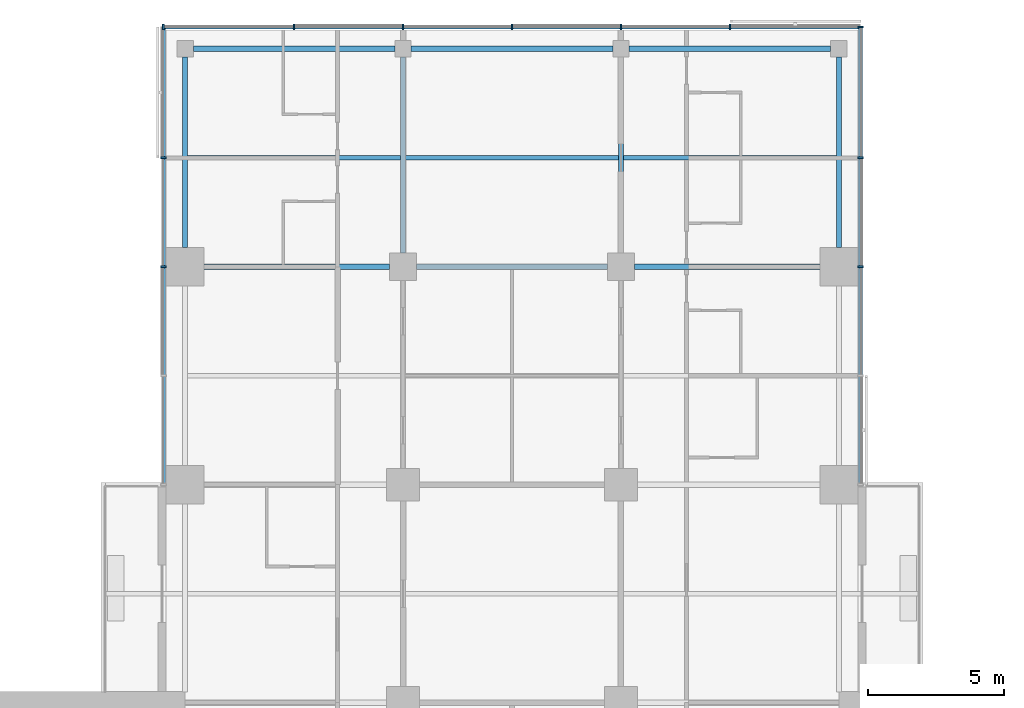
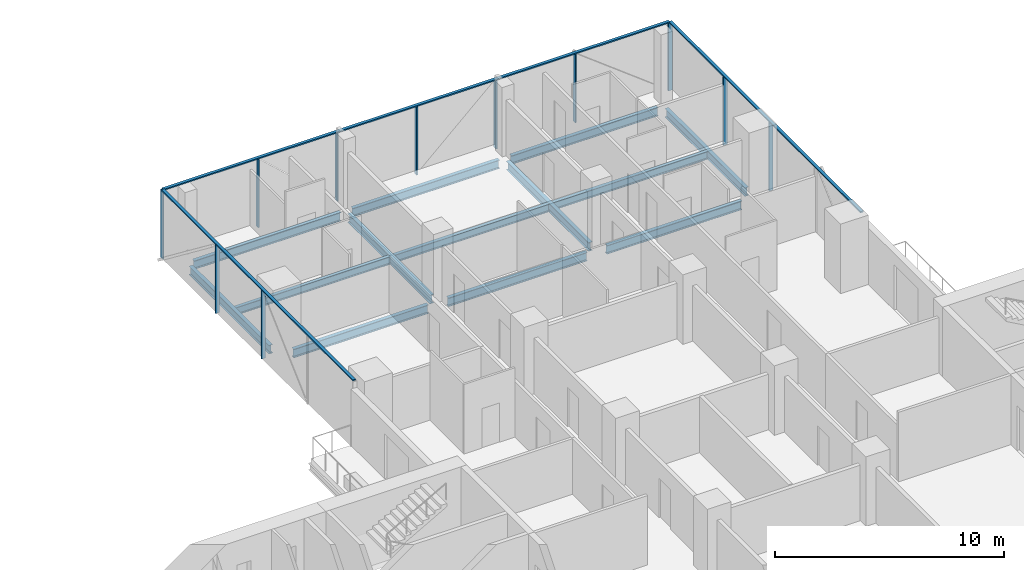
# One storey, part 12 of 27: 14 members, 13 beams, 3 elements without a shape of their own.
"""IFC4 building model written with IfcOpenShell, lengths in metres."""

from ifc_helpers import new_model, si_unit, direction, frame, origin, origin_2d, place, context, subcontext, project, spatial, rectangle, i_section, extrude, material, material_profile, profile_set, type_object, element, aggregate, save


model = new_model("IFC4")

# Units and contexts
model_context = context("Model", 3, precision=1e-05, world=origin(), true_north=direction((0.0, 1.0)))
body_context = subcontext(model_context, "Body", "Model", "MODEL_VIEW")
ifc_project = project(units=[si_unit("LENGTHUNIT", "METRE"), si_unit("AREAUNIT", "SQUARE_METRE"), si_unit("VOLUMEUNIT", "CUBIC_METRE"), si_unit("PLANEANGLEUNIT", "RADIAN"), si_unit("MASSUNIT", "GRAM", prefix="KILO")], contexts=[model_context])

# Site, building, storey
site_placement = place(None, origin())
site = spatial("IfcSite", under=ifc_project, at=site_placement, CompositionType="ELEMENT")
building_placement = place(site_placement, origin())
building = spatial("IfcBuilding", under=site, at=building_placement, Name="Crosswind Convention Tower", CompositionType="ELEMENT")
storey_placement = place(building_placement, frame((0.0, 0.0, 83.10009765625)))
storey = spatial("IfcBuildingStorey", under=building, at=storey_placement, Name="L15", CompositionType="ELEMENT", Elevation=83.10009765625)

# Beams
ifc_material_1 = material(Name="Steel S355", Category="steel")
ifc_material_profile_1 = material_profile(ifc_material_1, i_section(OverallWidth=0.1904296875, OverallDepth=0.457275390625, WebThickness=0.009033203125, FlangeThickness=0.014404296875, FilletRadius=0.01025390625, at=origin_2d()), Name="UB 457x191x75")
ifc_profile_set_1 = profile_set([ifc_material_profile_1], Name="Steel S355")
beam_type_1 = type_object("IfcBeamType", Name="Edge beam UB 457x191x75", PredefinedType="SPANDREL", material=ifc_profile_set_1)
beam_1_placement = place(storey_placement, frame((113.0, 128.699951171875, -0.5087890625), z_axis=(0.0, 1.0, 0.0), x_axis=(-1.0, 0.0, 0.0)))
element("IfcBeam", 1, at=beam_1_placement, inside=storey, type_object=beam_type_1, Name="B17 L15 edge beam 11", PredefinedType="SPANDREL", context=body_context, shape_type="SweptSolid", body=[
    extrude(i_section(OverallWidth=0.1904296875, OverallDepth=0.457275390625, WebThickness=0.009033203125, FlangeThickness=0.014404296875, FilletRadius=0.01025390625, at=origin_2d()), origin(), (0.0, 0.0, 1.0), 7.0),
])
for number, where, z_axis, x_axis, name in (
    (2, (113.300048828125, 136.0, -0.5087890625), (1.0, 0.0, 0.0), (0.0, 1.0, 0.0), "B17 L15 edge beam 13"),
    (3, (121.300048828125, 136.0, -0.5087890625), (1.0, 0.0, 0.0), (0.0, 1.0, 0.0), "B17 L15 edge beam 15"),
    (4, (129.300048828125, 136.0, -0.5087890625), (1.0, 0.0, 0.0), (0.0, 1.0, 0.0), "B17 L15 edge beam 17"),
):
    element("IfcBeam", number, at=place(storey_placement, frame(where, z_axis=z_axis, x_axis=x_axis)), inside=storey, type_object=beam_type_1, Name=name, PredefinedType="SPANDREL", context=body_context, shape_type="SweptSolid", body=[
        extrude(i_section(OverallWidth=0.1904296875, OverallDepth=0.457275390625, WebThickness=0.009033203125, FlangeThickness=0.014404296875, FilletRadius=0.01025390625, at=origin_2d()), origin(), (0.0, 0.0, 1.0), 7.39990234375),
    ])
beam_2_placement = place(storey_placement, frame((137.0, 128.699951171875, -0.5087890625), z_axis=(0.0, 1.0, 0.0), x_axis=(-1.0, 0.0, 0.0)))
element("IfcBeam", 5, at=beam_2_placement, inside=storey, type_object=beam_type_1, Name="B17 L15 edge beam 23", PredefinedType="SPANDREL", context=body_context, shape_type="SweptSolid", body=[
    extrude(i_section(OverallWidth=0.1904296875, OverallDepth=0.457275390625, WebThickness=0.009033203125, FlangeThickness=0.014404296875, FilletRadius=0.01025390625, at=origin_2d()), origin(), (0.0, 0.0, 1.0), 7.0),
])
ifc_material_profile_2 = material_profile(ifc_material_1, i_section(OverallWidth=0.19140625, OverallDepth=0.460205078125, WebThickness=0.010009765625, FlangeThickness=0.01611328125, FilletRadius=0.01025390625, at=origin_2d()), Name="UB 457x191x82")
ifc_profile_set_2 = profile_set([ifc_material_profile_2], Name="Steel S355")
beam_type_2 = type_object("IfcBeamType", Name="Girder UB 457x191x82", PredefinedType="BEAM", material=ifc_profile_set_2)
beam_3_placement = place(storey_placement, frame((113.699951171875, 128.0, -0.51025390625), z_axis=(1.0, 0.0, 0.0), x_axis=(0.0, 1.0, 0.0)))
element("IfcBeam", 6, at=beam_3_placement, inside=storey, type_object=beam_type_2, Name="B3 L15 girder 4", PredefinedType="BEAM", context=body_context, shape_type="SweptSolid", body=[
    extrude(i_section(OverallWidth=0.19140625, OverallDepth=0.460205078125, WebThickness=0.010009765625, FlangeThickness=0.01611328125, FilletRadius=0.01025390625, at=origin_2d()), origin(), (0.0, 0.0, 1.0), 6.800048828125),
])
beam_4_placement = place(storey_placement, frame((121.0, 128.5, -0.51025390625), z_axis=(0.0, 1.0, 0.0), x_axis=(-1.0, 0.0, 0.0)))
element("IfcBeam", 7, at=beam_4_placement, inside=storey, type_object=beam_type_2, Name="B3 L15 girder 13", PredefinedType="BEAM", context=body_context, shape_type="SweptSolid", body=[
    extrude(i_section(OverallWidth=0.19140625, OverallDepth=0.460205078125, WebThickness=0.010009765625, FlangeThickness=0.01611328125, FilletRadius=0.01025390625, at=origin_2d()), origin(), (0.0, 0.0, 1.0), 7.199951171875),
])
beam_5_placement = place(storey_placement, frame((121.5, 128.0, -0.51025390625), z_axis=(1.0, 0.0, 0.0), x_axis=(0.0, 1.0, 0.0)))
element("IfcBeam", 8, at=beam_5_placement, inside=storey, type_object=beam_type_2, Name="B3 L15 girder 15", PredefinedType="BEAM", context=body_context, shape_type="SweptSolid", body=[
    extrude(i_section(OverallWidth=0.19140625, OverallDepth=0.460205078125, WebThickness=0.010009765625, FlangeThickness=0.01611328125, FilletRadius=0.01025390625, at=origin_2d()), origin(), (0.0, 0.0, 1.0), 7.0),
])
beam_6_placement = place(storey_placement, frame((129.0, 128.5, -0.51025390625), z_axis=(0.0, 1.0, 0.0), x_axis=(-1.0, 0.0, 0.0)))
element("IfcBeam", 9, at=beam_6_placement, inside=storey, type_object=beam_type_2, Name="B3 L15 girder 30", PredefinedType="BEAM", context=body_context, shape_type="SweptSolid", body=[
    extrude(i_section(OverallWidth=0.19140625, OverallDepth=0.460205078125, WebThickness=0.010009765625, FlangeThickness=0.01611328125, FilletRadius=0.01025390625, at=origin_2d()), origin(), (0.0, 0.0, 1.0), 7.199951171875),
])
beam_7_placement = place(storey_placement, frame((129.5, 128.0, -0.51025390625), z_axis=(1.0, 0.0, 0.0), x_axis=(0.0, 1.0, 0.0)))
element("IfcBeam", 10, at=beam_7_placement, inside=storey, type_object=beam_type_2, Name="B3 L15 girder 32", PredefinedType="BEAM", context=body_context, shape_type="SweptSolid", body=[
    extrude(i_section(OverallWidth=0.19140625, OverallDepth=0.460205078125, WebThickness=0.010009765625, FlangeThickness=0.01611328125, FilletRadius=0.01025390625, at=origin_2d()), origin(), (0.0, 0.0, 1.0), 6.800048828125),
])

# Curtain wall, members
ifc_material_2 = material(Name="Aluminium unitised curtain wall", Category="aluminium")
curtain_wall_type = type_object("IfcCurtainWallType", Name="HOTEL UNITISED WALL 200", PredefinedType="USERDEFINED", material=ifc_material_2)
curtain_wall_1_placement = place(storey_placement, origin())
curtain_wall_1 = element("IfcCurtainWall", 11, at=curtain_wall_1_placement, inside=storey, type_object=curtain_wall_type, Name="CW2 L15 N-E 1", ObjectType="UNITISED", PredefinedType="USERDEFINED")
ifc_material_3 = material(Name="Aluminium mullion", Category="aluminium")
ifc_material_profile_3 = material_profile(ifc_material_3, rectangle(XDim=0.199951171875, YDim=0.06494140625, at=origin_2d()), Name="AL 200X65")
ifc_profile_set_3 = profile_set([ifc_material_profile_3], Name="Aluminium mullion")
member_type_1 = type_object("IfcMemberType", Name="MULLION 65X200", PredefinedType="MULLION", material=ifc_profile_set_3)
member_1_placement = place(storey_placement, frame((137.800048828125, 128.0, -0.280029296875), z_axis=(0.0, 0.0, 1.0), x_axis=(1.0, 0.0, 0.0)))
member_1 = element("IfcMember", 12, at=member_1_placement, type_object=member_type_1, Name="CW2 mullion 3", PredefinedType="MULLION", context=body_context, shape_type="SweptSolid", body=[
    extrude(rectangle(XDim=0.199951171875, YDim=0.06494140625, at=origin_2d()), origin(), (0.0, 0.0, 1.0), 3.635009765625),
])
member_2_placement = place(storey_placement, frame((137.800048828125, 132.0, -0.280029296875), z_axis=(0.0, 0.0, 1.0), x_axis=(1.0, 0.0, 0.0)))
member_2 = element("IfcMember", 13, at=member_2_placement, type_object=member_type_1, Name="CW2 mullion 4", PredefinedType="MULLION", context=body_context, shape_type="SweptSolid", body=[
    extrude(rectangle(XDim=0.199951171875, YDim=0.06494140625, at=origin_2d()), origin(), (0.0, 0.0, 1.0), 3.635009765625),
])
member_3_placement = place(storey_placement, frame((137.800048828125, 136.800048828125, -0.280029296875), z_axis=(0.0, 0.0, 1.0), x_axis=(1.0, 0.0, 0.0)))
member_3 = element("IfcMember", 14, at=member_3_placement, type_object=member_type_1, Name="CW2 mullion 5", PredefinedType="MULLION", context=body_context, shape_type="SweptSolid", body=[
    extrude(rectangle(XDim=0.199951171875, YDim=0.06494140625, at=origin_2d()), origin(), (0.0, 0.0, 1.0), 3.635009765625),
])

curtain_wall_2_placement = place(storey_placement, origin())
curtain_wall_2 = element("IfcCurtainWall", 15, at=curtain_wall_2_placement, inside=storey, type_object=curtain_wall_type, Name="CW2 L15 N-TIP 1", ObjectType="UNITISED", PredefinedType="USERDEFINED")
member_4_placement = place(storey_placement, frame((133.0, 136.800048828125, -0.280029296875), z_axis=(0.0, 0.0, 1.0), x_axis=(0.0, 1.0, 0.0)))
member_4 = element("IfcMember", 16, at=member_4_placement, type_object=member_type_1, Name="CW2 mullion 2", PredefinedType="MULLION", context=body_context, shape_type="SweptSolid", body=[
    extrude(rectangle(XDim=0.199951171875, YDim=0.06494140625, at=origin_2d()), origin(), (0.0, 0.0, 1.0), 3.635009765625),
])
member_5_placement = place(storey_placement, frame((129.0, 136.800048828125, -0.280029296875), z_axis=(0.0, 0.0, 1.0), x_axis=(0.0, 1.0, 0.0)))
member_5 = element("IfcMember", 17, at=member_5_placement, type_object=member_type_1, Name="CW2 mullion 3", PredefinedType="MULLION", context=body_context, shape_type="SweptSolid", body=[
    extrude(rectangle(XDim=0.199951171875, YDim=0.06494140625, at=origin_2d()), origin(), (0.0, 0.0, 1.0), 3.635009765625),
])
member_6_placement = place(storey_placement, frame((125.0, 136.800048828125, -0.280029296875), z_axis=(0.0, 0.0, 1.0), x_axis=(0.0, 1.0, 0.0)))
member_6 = element("IfcMember", 18, at=member_6_placement, type_object=member_type_1, Name="CW2 mullion 4", PredefinedType="MULLION", context=body_context, shape_type="SweptSolid", body=[
    extrude(rectangle(XDim=0.199951171875, YDim=0.06494140625, at=origin_2d()), origin(), (0.0, 0.0, 1.0), 3.635009765625),
])
member_7_placement = place(storey_placement, frame((121.0, 136.800048828125, -0.280029296875), z_axis=(0.0, 0.0, 1.0), x_axis=(0.0, 1.0, 0.0)))
member_7 = element("IfcMember", 19, at=member_7_placement, type_object=member_type_1, Name="CW2 mullion 5", PredefinedType="MULLION", context=body_context, shape_type="SweptSolid", body=[
    extrude(rectangle(XDim=0.199951171875, YDim=0.06494140625, at=origin_2d()), origin(), (0.0, 0.0, 1.0), 3.635009765625),
])
member_8_placement = place(storey_placement, frame((117.0, 136.800048828125, -0.280029296875), z_axis=(0.0, 0.0, 1.0), x_axis=(0.0, 1.0, 0.0)))
member_8 = element("IfcMember", 20, at=member_8_placement, type_object=member_type_1, Name="CW2 mullion 6", PredefinedType="MULLION", context=body_context, shape_type="SweptSolid", body=[
    extrude(rectangle(XDim=0.199951171875, YDim=0.06494140625, at=origin_2d()), origin(), (0.0, 0.0, 1.0), 3.635009765625),
])
member_9_placement = place(storey_placement, frame((112.199951171875, 136.800048828125, -0.280029296875), z_axis=(0.0, 0.0, 1.0), x_axis=(0.0, 1.0, 0.0)))
member_9 = element("IfcMember", 21, at=member_9_placement, type_object=member_type_1, Name="CW2 mullion 7", PredefinedType="MULLION", context=body_context, shape_type="SweptSolid", body=[
    extrude(rectangle(XDim=0.199951171875, YDim=0.06494140625, at=origin_2d()), origin(), (0.0, 0.0, 1.0), 3.635009765625),
])

curtain_wall_3_placement = place(storey_placement, origin())
curtain_wall_3 = element("IfcCurtainWall", 22, at=curtain_wall_3_placement, inside=storey, type_object=curtain_wall_type, Name="CW2 L15 N-W 1", ObjectType="UNITISED", PredefinedType="USERDEFINED")
member_10_placement = place(storey_placement, frame((112.199951171875, 132.0, -0.280029296875), z_axis=(0.0, 0.0, 1.0), x_axis=(-1.0, 0.0, 0.0)))
member_10 = element("IfcMember", 23, at=member_10_placement, type_object=member_type_1, Name="CW2 mullion 2", PredefinedType="MULLION", context=body_context, shape_type="SweptSolid", body=[
    extrude(rectangle(XDim=0.199951171875, YDim=0.06494140625, at=origin_2d()), origin(), (0.0, 0.0, 1.0), 3.635009765625),
])
member_11_placement = place(storey_placement, frame((112.199951171875, 128.0, -0.280029296875), z_axis=(0.0, 0.0, 1.0), x_axis=(-1.0, 0.0, 0.0)))
member_11 = element("IfcMember", 24, at=member_11_placement, type_object=member_type_1, Name="CW2 mullion 3", PredefinedType="MULLION", context=body_context, shape_type="SweptSolid", body=[
    extrude(rectangle(XDim=0.199951171875, YDim=0.06494140625, at=origin_2d()), origin(), (0.0, 0.0, 1.0), 3.635009765625),
])

# Beams
ifc_material_profile_4 = material_profile(ifc_material_1, i_section(OverallWidth=0.177734375, OverallDepth=0.406494140625, WebThickness=0.0078125, FlangeThickness=0.0126953125, FilletRadius=0.01025390625, at=origin_2d()), Name="UB 406x178x60")
ifc_profile_set_4 = profile_set([ifc_material_profile_4], Name="Steel S355")
beam_type_3 = type_object("IfcBeamType", Name="Secondary beam UB 406x178x60", PredefinedType="JOIST", material=ifc_profile_set_4)
beam_8_placement = place(storey_placement, frame((113.09521484375, 132.0, -0.4833984375), z_axis=(1.0, 0.0, 0.0), x_axis=(0.0, 1.0, 0.0)))
element("IfcBeam", 25, at=beam_8_placement, inside=storey, type_object=beam_type_3, Name="B10 L15 secondary beam 12", PredefinedType="JOIST", context=body_context, shape_type="SweptSolid", body=[
    extrude(i_section(OverallWidth=0.177734375, OverallDepth=0.406494140625, WebThickness=0.0078125, FlangeThickness=0.0126953125, FilletRadius=0.01025390625, at=origin_2d()), origin(), (0.0, 0.0, 1.0), 7.80908203125),
])
beam_9_placement = place(storey_placement, frame((121.095703125, 132.0, -0.4833984375), z_axis=(1.0, 0.0, 0.0), x_axis=(0.0, 1.0, 0.0)))
element("IfcBeam", 26, at=beam_9_placement, inside=storey, type_object=beam_type_3, Name="B10 L15 secondary beam 21", PredefinedType="JOIST", context=body_context, shape_type="SweptSolid", body=[
    extrude(i_section(OverallWidth=0.177734375, OverallDepth=0.406494140625, WebThickness=0.0078125, FlangeThickness=0.0126953125, FilletRadius=0.01025390625, at=origin_2d()), origin(), (0.0, 0.0, 1.0), 7.80859375),
])
beam_10_placement = place(storey_placement, frame((129.095703125, 132.0, -0.4833984375), z_axis=(1.0, 0.0, 0.0), x_axis=(0.0, 1.0, 0.0)))
element("IfcBeam", 27, at=beam_10_placement, inside=storey, type_object=beam_type_3, Name="B10 L15 secondary beam 30", PredefinedType="JOIST", context=body_context, shape_type="SweptSolid", body=[
    extrude(i_section(OverallWidth=0.177734375, OverallDepth=0.406494140625, WebThickness=0.0078125, FlangeThickness=0.0126953125, FilletRadius=0.01025390625, at=origin_2d()), origin(), (0.0, 0.0, 1.0), 7.80908203125),
])

# Member
ifc_material_4 = material(Name="Aluminium transom", Category="aluminium")
ifc_material_profile_5 = material_profile(ifc_material_4, rectangle(XDim=0.14990234375, YDim=0.06494140625, at=origin_2d()), Name="AL 150X65")
ifc_profile_set_5 = profile_set([ifc_material_profile_5], Name="Aluminium transom")
member_type_2 = type_object("IfcMemberType", Name="TRANSOM 65X150", PredefinedType="USERDEFINED", material=ifc_profile_set_5)
member_12_placement = place(storey_placement, frame((137.800048828125, 120.032470703125, 3.387451171875), z_axis=(0.0, 1.0, 0.0), x_axis=(-1.0, 0.0, 0.0)))
member_12 = element("IfcMember", 28, at=member_12_placement, type_object=member_type_2, Name="CW2 transom", ObjectType="TRANSOM", PredefinedType="USERDEFINED", context=body_context, shape_type="SweptSolid", body=[
    extrude(rectangle(XDim=0.14990234375, YDim=0.06494140625, at=origin_2d()), origin(), (0.0, 0.0, 1.0), 16.735107421875),
])

aggregate(curtain_wall_1, [member_1, member_2, member_3, member_12])

member_13_placement = place(storey_placement, frame((137.767578125, 136.800048828125, 3.387451171875), z_axis=(-1.0, 0.0, 0.0), x_axis=(0.0, -1.0, 0.0)))
member_13 = element("IfcMember", 29, at=member_13_placement, type_object=member_type_2, Name="CW2 transom", ObjectType="TRANSOM", PredefinedType="USERDEFINED", context=body_context, shape_type="SweptSolid", body=[
    extrude(rectangle(XDim=0.14990234375, YDim=0.06494140625, at=origin_2d()), origin(), (0.0, 0.0, 1.0), 25.53515625),
])

aggregate(curtain_wall_2, [member_4, member_5, member_6, member_7, member_8, member_9, member_13])

member_14_placement = place(storey_placement, frame((112.199951171875, 136.767578125, 3.387451171875), z_axis=(0.0, -1.0, 0.0), x_axis=(1.0, 0.0, 0.0)))
member_14 = element("IfcMember", 30, at=member_14_placement, type_object=member_type_2, Name="CW2 transom", ObjectType="TRANSOM", PredefinedType="USERDEFINED", context=body_context, shape_type="SweptSolid", body=[
    extrude(rectangle(XDim=0.14990234375, YDim=0.06494140625, at=origin_2d()), origin(), (0.0, 0.0, 1.0), 16.735107421875),
])

aggregate(curtain_wall_3, [member_10, member_11, member_14])

save(model, "model.ifc")
